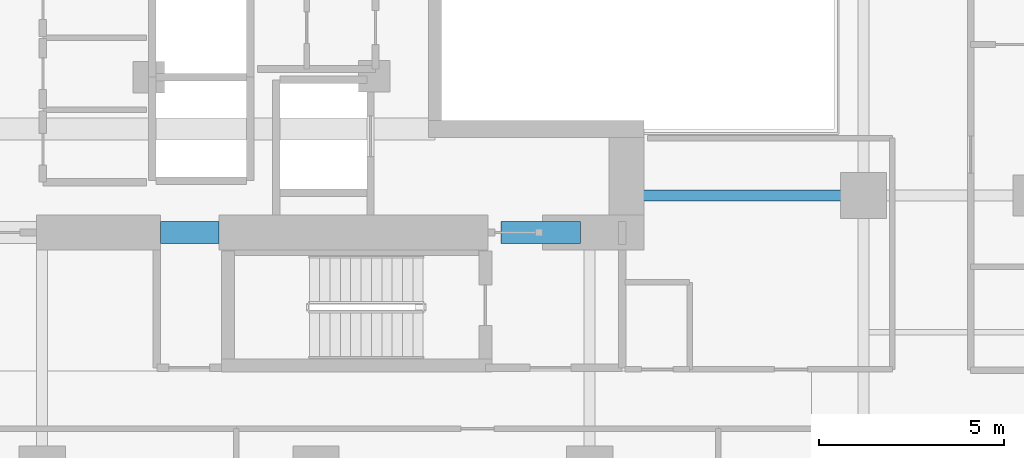
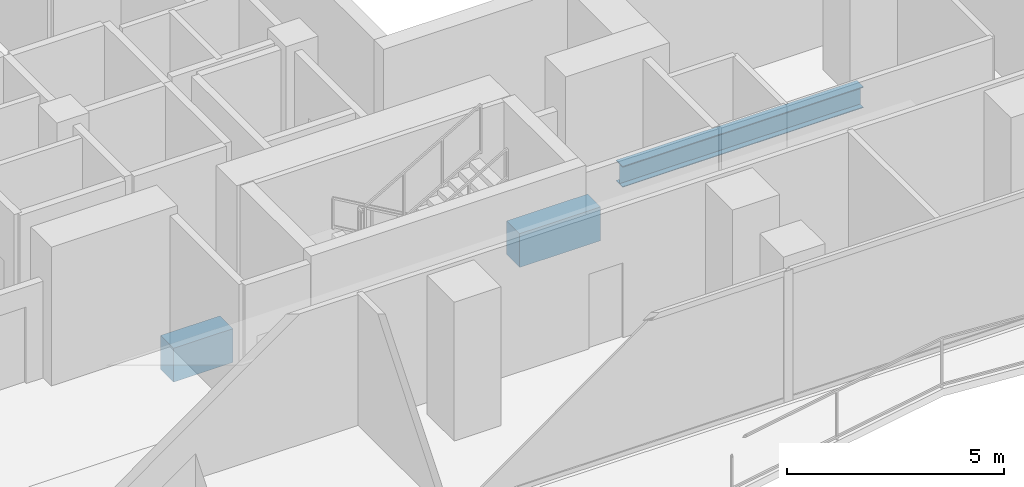
# One storey, part 5 of 27: 3 beams.
"""IFC4 building model written with IfcOpenShell, lengths in metres."""

from ifc_helpers import new_model, si_unit, direction, frame, origin, origin_2d, place, context, subcontext, project, spatial, rectangle, i_section, extrude, material, material_profile, profile_set, type_object, element, save


model = new_model("IFC4")

# Units and contexts
model_context = context("Model", 3, precision=1e-05, world=origin(), true_north=direction((0.0, 1.0)))
body_context = subcontext(model_context, "Body", "Model", "MODEL_VIEW")
ifc_project = project(units=[si_unit("LENGTHUNIT", "METRE"), si_unit("AREAUNIT", "SQUARE_METRE"), si_unit("VOLUMEUNIT", "CUBIC_METRE"), si_unit("PLANEANGLEUNIT", "RADIAN"), si_unit("MASSUNIT", "GRAM", prefix="KILO")], contexts=[model_context])

# Site, building, storey
site_placement = place(None, origin())
site = spatial("IfcSite", under=ifc_project, at=site_placement, CompositionType="ELEMENT")
building_placement = place(site_placement, origin())
building = spatial("IfcBuilding", under=site, at=building_placement, Name="Khorvyn Point Tower", CompositionType="ELEMENT")
storey_placement = place(building_placement, frame((0.0, 0.0, 125.10009765625)))
storey = spatial("IfcBuildingStorey", under=building, at=storey_placement, Name="L31", CompositionType="ELEMENT", Elevation=125.10009765625)

# Beams
ifc_material_1 = material(Name="Concrete C50/60", Category="concrete")
ifc_material_profile_1 = material_profile(ifc_material_1, rectangle(XDim=0.60009765625, YDim=0.949951171875, at=origin_2d()))
ifc_profile_set_1 = profile_set([ifc_material_profile_1], Name="Concrete C50/60 RC600x950")
beam_type_1 = type_object("IfcBeamType", Name="Concrete C50/60 Beam RC600x950", PredefinedType="BEAM", material=ifc_profile_set_1)
beam_1_placement = place(storey_placement, frame((-4.199951171875, -8.39990234375, -0.695068359375), z_axis=(1.0, 0.0, 0.0), x_axis=(0.0, 1.0, 0.0)))
element("IfcBeam", 1, at=beam_1_placement, inside=storey, type_object=beam_type_1, Name="L31 Core Shuttle Portal Coupling Beam", PredefinedType="BEAM", context=body_context, shape_type="SweptSolid", body=[
    extrude(rectangle(XDim=0.60009765625, YDim=0.949951171875, at=origin_2d()), origin(), (0.0, 0.0, 1.0), 1.579833984375),
])
beam_2_placement = place(storey_placement, frame((5.0, -8.39990234375, -0.695068359375), z_axis=(1.0, 0.0, 0.0), x_axis=(0.0, 1.0, 0.0)))
element("IfcBeam", 2, at=beam_2_placement, inside=storey, type_object=beam_type_1, Name="L31 Core Southeast Portal Coupling Beam", PredefinedType="BEAM", context=body_context, shape_type="SweptSolid", body=[
    extrude(rectangle(XDim=0.60009765625, YDim=0.949951171875, at=origin_2d()), origin(), (0.0, 0.0, 1.0), 2.14990234375),
])
ifc_material_2 = material(Name="Steel S355", Category="steel")
ifc_material_profile_2 = material_profile(ifc_material_2, i_section(OverallWidth=0.300048828125, OverallDepth=0.587890625, WebThickness=0.011962890625, FlangeThickness=0.02001953125, at=origin_2d()))
ifc_profile_set_2 = profile_set([ifc_material_profile_2], Name="Steel S355 H588x300x12x20")
beam_type_2 = type_object("IfcBeamType", Name="Steel S355 Beam H588x300x12x20", PredefinedType="BEAM", material=ifc_profile_set_2)
beam_3_placement = place(storey_placement, frame((8.39990234375, -7.39990234375, -0.51416015625), z_axis=(1.0, 0.0, 0.0), x_axis=(0.0, 1.0, 0.0)))
element("IfcBeam", 3, at=beam_3_placement, inside=storey, type_object=beam_type_2, Name="Beam", PredefinedType="BEAM", context=body_context, shape_type="SweptSolid", body=[
    extrude(i_section(OverallWidth=0.300048828125, OverallDepth=0.587890625, WebThickness=0.011962890625, FlangeThickness=0.02001953125, at=origin_2d()), origin(), (0.0, 0.0, 1.0), 6.400146484375),
])

save(model, "model.ifc")
